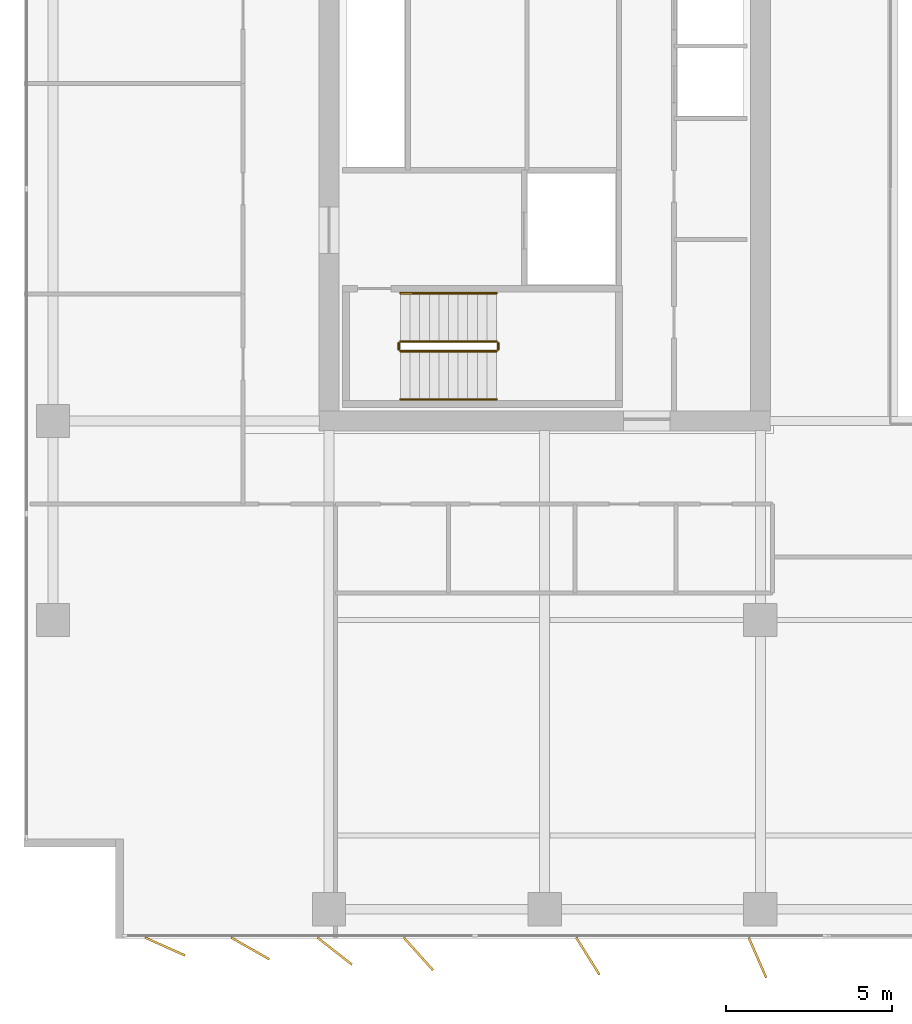
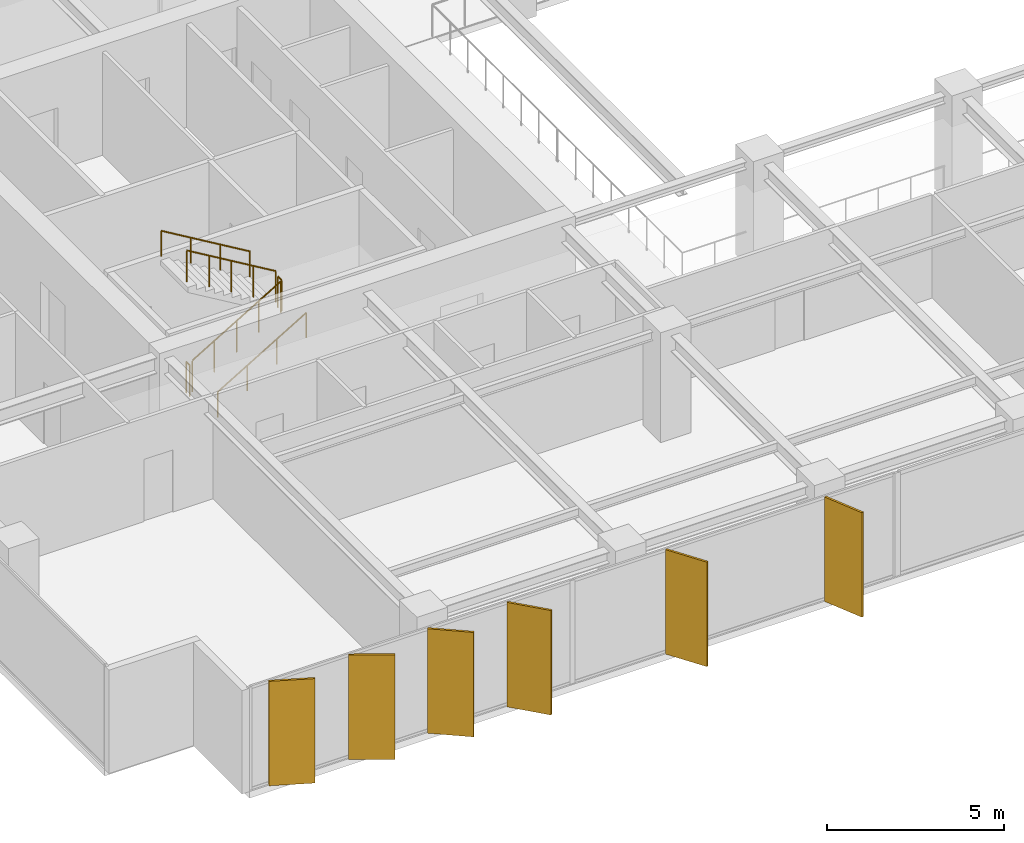
# One storey, part 19 of 22: 6 railings, 6 shading devices.
"""IFC4 building model written with IfcOpenShell, lengths in metres."""

import ifcopenshell
import ifcopenshell.guid

model = None  # the IFC model being written
_history = None  # IfcOwnerHistory: only IFC2X3 demands one
_inside = {}  # id of a spatial element -> (the spatial element, [elements in it])
_under = {}  # id of a project, library or spatial element -> (it, [spatial elements below it])
_declared = {}  # id of a project -> (the project, [libraries it declares])
_typed = {}  # id of a type object -> (the type object, [elements of that type])
_made_of = {}  # id of a material, layer set ... -> (it, [elements and type objects made of it])


def new_model(schema):
    """Start an empty IFC model of exactly this schema.

    Asked for "IFC4X3", IfcOpenShell would pick the latest addendum, in which some entities
    have other attributes; the version numbers below select the first issue.
    IFC2X3 requires an IfcOwnerHistory on every rooted entity: one is made here for all.
    """
    global model, _history
    if schema == "IFC4X3":
        model = ifcopenshell.file(schema_version=(4, 3, 0, 0))
    else:
        model = ifcopenshell.file(schema=schema)
    _inside.clear()
    _under.clear()
    _declared.clear()
    _typed.clear()
    _made_of.clear()
    _history = None
    if model.schema == "IFC2X3":
        org = make("IfcOrganization", Name="unknown")
        user = make(
            "IfcPersonAndOrganization",
            ThePerson=make("IfcPerson", FamilyName="unknown"),
            TheOrganization=org,
        )
        app = make(
            "IfcApplication",
            ApplicationDeveloper=org,
            Version="unknown",
            ApplicationFullName="unknown",
            ApplicationIdentifier="unknown",
        )
        _history = make(
            "IfcOwnerHistory",
            OwningUser=user,
            OwningApplication=app,
            ChangeAction="ADDED",
            CreationDate=0,
        )
    return model


def make(cls, **values):
    """One entity of the class cls with the attributes given. An attribute that is None is left unset."""
    return model.create_entity(
        cls, **{name: value for name, value in values.items() if value is not None}
    )


def rooted(cls, **values):
    """An entity with a GlobalId (a new one), such as an element, a storey or a relation."""
    return make(cls, GlobalId=ifcopenshell.guid.new(), OwnerHistory=_history, **values)


def si_unit(unit_type, name, prefix=None):
    """IfcSIUnit, for example si_unit("LENGTHUNIT", "METRE", prefix="MILLI")."""
    return make("IfcSIUnit", UnitType=unit_type, Prefix=prefix, Name=name)


def assignment(units):
    """IfcUnitAssignment: the units of a project."""
    return None if units is None else make("IfcUnitAssignment", Units=units)


def point(xyz):
    """IfcCartesianPoint."""
    return None if xyz is None else make("IfcCartesianPoint", Coordinates=xyz)


def direction(xyz):
    """IfcDirection."""
    return None if xyz is None else make("IfcDirection", DirectionRatios=xyz)


def frame(location, z_axis=None, x_axis=None):
    """IfcAxis2Placement3D, a coordinate frame: its origin and axes. An axis left out is left unset."""
    return make(
        "IfcAxis2Placement3D",
        Location=point(location),
        Axis=direction(z_axis),
        RefDirection=direction(x_axis),
    )


def frame_2d(location, x_axis=None):
    """IfcAxis2Placement2D, a coordinate frame in the plane: its origin and x axis."""
    return make(
        "IfcAxis2Placement2D", Location=point(location), RefDirection=direction(x_axis)
    )


def origin():
    """The frame at (0, 0, 0) with its axes left unset."""
    return frame((0.0, 0.0, 0.0))


def origin_2d():
    """The frame at (0, 0) in the plane with its x axis left unset."""
    return frame_2d((0.0, 0.0))


def place(relative_to, where):
    """IfcLocalPlacement: puts the frame where relative to a parent placement (None: the world)."""
    return make(
        "IfcLocalPlacement", PlacementRelTo=relative_to, RelativePlacement=where
    )


def context(
    kind, dimensions, precision=None, world=None, true_north=None, identifier=None
):
    """IfcGeometricRepresentationContext, for example the 3D "Model" context."""
    return make(
        "IfcGeometricRepresentationContext",
        ContextIdentifier=identifier,
        ContextType=kind,
        CoordinateSpaceDimension=dimensions,
        Precision=precision,
        WorldCoordinateSystem=world,
        TrueNorth=true_north,
    )


def subcontext(parent, identifier, kind, view, scale=None):
    """IfcGeometricRepresentationSubContext, for example "Body" below "Model"."""
    return make(
        "IfcGeometricRepresentationSubContext",
        ContextIdentifier=identifier,
        ContextType=kind,
        ParentContext=parent,
        TargetScale=scale,
        TargetView=view,
    )


def project(units=None, contexts=None):
    """IfcProject with its units and contexts."""
    return rooted(
        "IfcProject",
        Name="project",
        RepresentationContexts=contexts,
        UnitsInContext=assignment(units),
    )


def spatial(cls, under=None, at=None, **own):
    """A site, building, storey or space (cls), placed at a placement, below another one or the project."""
    s = rooted(cls, ObjectPlacement=at, **own)
    if under is not None:
        _under.setdefault(under.id(), (under, []))[1].append(s)
    return s


def profile(cls, at=None, kind="AREA", **sizes):
    """A parametric profile (cls). Its sizes go by their IFC names, for example OverallWidth=200.0."""
    return make(cls, ProfileType=kind, Position=at, **sizes)


def rectangle(**sizes):
    """IfcRectangleProfileDef."""
    return profile("IfcRectangleProfileDef", **sizes)


def circle(**sizes):
    """IfcCircleProfileDef."""
    return profile("IfcCircleProfileDef", **sizes)


def extrude(swept, where, along, depth):
    """IfcExtrudedAreaSolid: the profile swept, set in the frame where, extruded along a direction by depth."""
    return make(
        "IfcExtrudedAreaSolid",
        SweptArea=swept,
        Position=where,
        ExtrudedDirection=direction(along),
        Depth=depth,
    )


def shape(context_of_items, identifier, shape_type, items):
    """IfcShapeRepresentation: the items that make up one representation, for example the "Body"."""
    return make(
        "IfcShapeRepresentation",
        ContextOfItems=context_of_items,
        RepresentationIdentifier=identifier,
        RepresentationType=shape_type,
        Items=items,
    )


def material(Name=None, Category=None):
    """IfcMaterial."""
    return make("IfcMaterial", Name=Name, Category=Category)


def layer(
    of_material, thickness, ventilated=None, Name=None, Category=None, Priority=None
):
    """IfcMaterialLayer: one layer of a wall or slab, of a material (None: an air gap)."""
    return make(
        "IfcMaterialLayer",
        Material=of_material,
        LayerThickness=thickness,
        IsVentilated=ventilated,
        Name=Name,
        Category=Category,
        Priority=Priority,
    )


def layer_set(layers, Name=None):
    """IfcMaterialLayerSet."""
    return make("IfcMaterialLayerSet", MaterialLayers=layers, LayerSetName=Name)


def made_of(thing, what):
    """Note that an element or type object is made of a material, layer set ...; save() writes the relation."""
    if what is not None:
        _made_of.setdefault(what.id(), (what, []))[1].append(thing)
    return thing


def type_object(cls, material=None, **own):
    """A type object (cls), such as IfcWallType, which elements share."""
    return made_of(rooted(cls, **own), material)


def element(
    cls,
    number,
    at=None,
    inside=None,
    cuts=None,
    type_object=None,
    material=None,
    context=None,
    identifier="Body",
    shape_type=None,
    held_by="IfcProductDefinitionShape",
    body=None,
    shapes=None,
    **own,
):
    """One element of the class cls, such as IfcWall. Its Tag is "e" and its number.

    at: its placement. inside: the storey or other place that contains it. cuts: it is an
    opening in that element (IfcRelVoidsElement). A single representation is given by context,
    identifier, shape_type and body (its items); several are given by shapes. held_by: the class
    of the entity that holds the representations. save() writes the other relations.
    """
    e = rooted(cls, Tag="e%d" % number, ObjectPlacement=at, **own)
    if body is not None:
        shapes = [shape(context, identifier, shape_type, body)]
    if shapes is not None:
        e.Representation = make(held_by, Representations=shapes)
    if inside is not None:
        _inside.setdefault(inside.id(), (inside, []))[1].append(e)
    if cuts is not None:
        rooted(
            "IfcRelVoidsElement", RelatingBuildingElement=cuts, RelatedOpeningElement=e
        )
    if type_object is not None:
        _typed.setdefault(type_object.id(), (type_object, []))[1].append(e)
    return made_of(e, material)


def aggregate(whole, parts):
    """IfcRelAggregates: a whole, such as a stair, and the parts it consists of."""
    return rooted("IfcRelAggregates", RelatingObject=whole, RelatedObjects=parts)


def save(model, path):
    """Write the relations noted so far, then the file.

    IfcRelAggregates (storeys below a building ...), IfcRelContainedInSpatialStructure (elements
    in a storey), IfcRelDefinesByType, IfcRelAssociatesMaterial and IfcRelDeclares: one each for
    every whole, place, type object, material and project.
    """
    for whole, parts in _under.values():
        aggregate(whole, parts)
    for where, things in _inside.values():
        rooted(
            "IfcRelContainedInSpatialStructure",
            RelatedElements=things,
            RelatingStructure=where,
        )
    for kind, things in _typed.values():
        rooted("IfcRelDefinesByType", RelatedObjects=things, RelatingType=kind)
    for what, things in _made_of.values():
        rooted("IfcRelAssociatesMaterial", RelatedObjects=things, RelatingMaterial=what)
    for by, libraries in _declared.values():
        rooted("IfcRelDeclares", RelatingContext=by, RelatedDefinitions=libraries)
    model.write(path)


model = new_model("IFC4")

# Units and contexts
model_context = context("Model", 3, precision=1e-05, world=origin(), true_north=direction((0.0, 1.0)))
body_context = subcontext(model_context, "Body", "Model", "MODEL_VIEW")
ifc_project = project(units=[si_unit("LENGTHUNIT", "METRE"), si_unit("AREAUNIT", "SQUARE_METRE"), si_unit("VOLUMEUNIT", "CUBIC_METRE"), si_unit("PLANEANGLEUNIT", "RADIAN"), si_unit("MASSUNIT", "GRAM", prefix="KILO")], contexts=[model_context])

# Site, building, storey
site_placement = place(None, origin())
site = spatial("IfcSite", under=ifc_project, at=site_placement, CompositionType="ELEMENT")
building_placement = place(site_placement, origin())
building = spatial("IfcBuilding", under=site, at=building_placement, Name="Putna Gate Headquarters", CompositionType="ELEMENT")
storey_placement = place(building_placement, frame((0.0, 0.0, 155.60009765625)))
storey = spatial("IfcBuildingStorey", under=building, at=storey_placement, Name="L38", CompositionType="ELEMENT", Elevation=155.60009765625)

# Railings
ifc_material_1 = material(Name="Powder-coated steel stair guardrail", Category="steel")
railing_type_1 = type_object("IfcRailingType", Name="RAIL-STAIR-GUARD-1100", PredefinedType="GUARDRAIL", material=ifc_material_1)
railing_1_placement = place(storey_placement, frame((15.14990234375, 21.10009765625, 0.172607421875)))
element("IfcRailing", 1, at=railing_1_placement, inside=storey, type_object=railing_type_1, Name="L38 ST1 stair guard 1", PredefinedType="GUARDRAIL", context=body_context, shape_type="SweptSolid", body=[
    extrude(circle(Radius=0.02392578125, at=origin_2d()), frame((0.0, 0.0, 1.076171875), z_axis=(0.859160404282, 0.0, 0.51170636083), x_axis=(0.0, 1.0, 0.0)), (0.0, 0.0, 1.0), 3.37548828125),
    extrude(circle(Radius=0.02099609375, at=origin_2d()), origin(), (0.0, 0.0, 1.0), 1.052001953125),
    extrude(circle(Radius=0.02099609375, at=origin_2d()), frame((0.72509765625, 0.0, 0.431884765625)), (0.0, 0.0, 1.0), 1.052001953125),
    extrude(circle(Radius=0.02099609375, at=origin_2d()), frame((1.4501953125, 0.0, 0.86376953125)), (0.0, 0.0, 1.0), 1.052001953125),
    extrude(circle(Radius=0.02099609375, at=origin_2d()), frame((2.175048828125, 0.0, 1.29541015625)), (0.0, 0.0, 1.0), 1.052001953125),
    extrude(circle(Radius=0.02099609375, at=origin_2d()), frame((2.900146484375, 0.0, 1.727294921875)), (0.0, 0.0, 1.0), 1.052001953125),
])
railing_2_placement = place(storey_placement, frame((18.10009765625, 21.14990234375, 1.89990234375)))
element("IfcRailing", 2, at=railing_2_placement, inside=storey, type_object=railing_type_1, Name="L38 ST1 stair guard 2", PredefinedType="GUARDRAIL", context=body_context, shape_type="SweptSolid", body=[
    extrude(circle(Radius=0.02392578125, at=origin_2d()), frame((0.0, 0.0, 1.076171875), z_axis=(0.0, 1.0, 0.0), x_axis=(-1.0, 0.0, 0.0)), (0.0, 0.0, 1.0), 0.2001953125),
    extrude(circle(Radius=0.02099609375, at=origin_2d()), origin(), (0.0, 0.0, 1.0), 1.052001953125),
    extrude(circle(Radius=0.02099609375, at=origin_2d()), frame((0.0, 0.2001953125, 0.0)), (0.0, 0.0, 1.0), 1.052001953125),
])
railing_3_placement = place(storey_placement, frame((18.050048828125, 21.39990234375, 2.072509765625)))
element("IfcRailing", 3, at=railing_3_placement, inside=storey, type_object=railing_type_1, Name="L38 ST1 stair guard 3", PredefinedType="GUARDRAIL", context=body_context, shape_type="SweptSolid", body=[
    extrude(circle(Radius=0.02392578125, at=origin_2d()), frame((0.0, 0.0, 1.076171875), z_axis=(-0.859160404282, 0.0, 0.51170636083), x_axis=(0.0, -1.0, 0.0)), (0.0, 0.0, 1.0), 3.37548828125),
    extrude(circle(Radius=0.02099609375, at=origin_2d()), origin(), (0.0, 0.0, 1.0), 1.052001953125),
    extrude(circle(Radius=0.02099609375, at=origin_2d()), frame((-0.72509765625, 0.0, 0.431884765625)), (0.0, 0.0, 1.0), 1.052001953125),
    extrude(circle(Radius=0.02099609375, at=origin_2d()), frame((-1.4501953125, 0.0, 0.86376953125)), (0.0, 0.0, 1.0), 1.052001953125),
    extrude(circle(Radius=0.02099609375, at=origin_2d()), frame((-2.175048828125, 0.0, 1.29541015625)), (0.0, 0.0, 1.0), 1.052001953125),
    extrude(circle(Radius=0.02099609375, at=origin_2d()), frame((-2.900146484375, 0.0, 1.727294921875)), (0.0, 0.0, 1.0), 1.052001953125),
])
railing_4_placement = place(storey_placement, frame((15.10009765625, 21.14990234375, 0.0)))
element("IfcRailing", 4, at=railing_4_placement, inside=storey, type_object=railing_type_1, Name="L38 ST1 stair guard 4", PredefinedType="GUARDRAIL", context=body_context, shape_type="SweptSolid", body=[
    extrude(circle(Radius=0.02392578125, at=origin_2d()), frame((0.0, 0.0, 1.076171875), z_axis=(0.0, 1.0, 0.0), x_axis=(-1.0, 0.0, 0.0)), (0.0, 0.0, 1.0), 0.2001953125),
    extrude(circle(Radius=0.02099609375, at=origin_2d()), origin(), (0.0, 0.0, 1.0), 1.052001953125),
    extrude(circle(Radius=0.02099609375, at=origin_2d()), frame((0.0, 0.2001953125, 0.0)), (0.0, 0.0, 1.0), 1.052001953125),
])
ifc_material_2 = material(Name="Brushed stainless steel handrail", Category="steel")
railing_type_2 = type_object("IfcRailingType", Name="RAIL-STAIR-HAND-900", PredefinedType="HANDRAIL", material=ifc_material_2)
railing_5_placement = place(storey_placement, frame((15.14990234375, 19.64990234375, 0.172607421875)))
element("IfcRailing", 5, at=railing_5_placement, inside=storey, type_object=railing_type_2, Name="L38 ST1 stair handrail 1", PredefinedType="HANDRAIL", context=body_context, shape_type="SweptSolid", body=[
    extrude(circle(Radius=0.02392578125, at=origin_2d()), frame((0.0, 0.0, 0.8759765625), z_axis=(0.859160404282, 0.0, 0.51170636083), x_axis=(0.0, 1.0, 0.0)), (0.0, 0.0, 1.0), 3.37548828125),
    extrude(circle(Radius=0.02099609375, at=origin_2d()), origin(), (0.0, 0.0, 1.0), 0.851806640625),
    extrude(circle(Radius=0.02099609375, at=origin_2d()), frame((0.966796875, 0.0, 0.57568359375)), (0.0, 0.0, 1.0), 0.851806640625),
    extrude(circle(Radius=0.02099609375, at=origin_2d()), frame((1.933349609375, 0.0, 1.151611328125)), (0.0, 0.0, 1.0), 0.851806640625),
    extrude(circle(Radius=0.02099609375, at=origin_2d()), frame((2.900146484375, 0.0, 1.727294921875)), (0.0, 0.0, 1.0), 0.851806640625),
])
railing_6_placement = place(storey_placement, frame((18.050048828125, 22.85009765625, 2.072509765625)))
element("IfcRailing", 6, at=railing_6_placement, inside=storey, type_object=railing_type_2, Name="L38 ST1 stair handrail 2", PredefinedType="HANDRAIL", context=body_context, shape_type="SweptSolid", body=[
    extrude(circle(Radius=0.02392578125, at=origin_2d()), frame((0.0, 0.0, 0.8759765625), z_axis=(-0.859160404282, 0.0, 0.51170636083), x_axis=(0.0, -1.0, 0.0)), (0.0, 0.0, 1.0), 3.37548828125),
    extrude(circle(Radius=0.02099609375, at=origin_2d()), origin(), (0.0, 0.0, 1.0), 0.851806640625),
    extrude(circle(Radius=0.02099609375, at=origin_2d()), frame((-0.966796875, 0.0, 0.57568359375)), (0.0, 0.0, 1.0), 0.851806640625),
    extrude(circle(Radius=0.02099609375, at=origin_2d()), frame((-1.933349609375, 0.0, 1.151611328125)), (0.0, 0.0, 1.0), 0.851806640625),
    extrude(circle(Radius=0.02099609375, at=origin_2d()), frame((-2.900146484375, 0.0, 1.727294921875)), (0.0, 0.0, 1.0), 0.851806640625),
])

# Shading devices
ifc_material_3 = material(Name="Anodised architectural bronze aluminium fin", Category="aluminium")
ifc_layer = layer(ifc_material_3, 0.06494140625)
ifc_layer_set = layer_set([ifc_layer], Name="Anodised architectural bronze aluminium fin")
shading_device_type = type_object("IfcShadingDeviceType", Name="SHADE-BRONZE-FIN-1320", PredefinedType="USERDEFINED", material=ifc_layer_set)
for number, where, z_axis, x_axis, name in (
    (7, (8.052978515625, 3.15673828125, -0.02001953125), (0.0, 0.0, 1.0), (0.913687379856, -0.40641773078, 0.0), "L38 Bronze Vertical Shading Fin S1"),
    (8, (10.623779296875, 3.098876953125, -0.02001953125), (0.0, 0.0, 1.0), (0.869322458298, -0.494245347472, 0.0), "L38 Bronze Vertical Shading Fin S2"),
    (9, (13.169677734375, 3.018310546875, -0.02001953125), (0.0, 0.0, 1.0), (0.787473187632, -0.616348909921, 0.0), "L38 Bronze Vertical Shading Fin S3"),
    (10, (15.691650390625, 2.9345703125, -0.02001953125), (0.0, 0.0, 1.0), (0.669130606359, -0.743144825477, 0.0), "L38 Bronze Vertical Shading Fin S4"),
    (11, (20.80029296875, 2.865478515625, -0.02001953125), (0.0, 0.0, 1.0), (0.530659123936, -0.847585331506, 0.0), "L38 Bronze Vertical Shading Fin S5"),
    (12, (25.914306640625, 2.8203125, -0.02001953125), (0.0, 0.0, 1.0), (0.400668879095, -0.916222925562, 0.0), "L38 Bronze Vertical Shading Fin S6"),
):
    element("IfcShadingDevice", number, at=place(storey_placement, frame(where, z_axis=z_axis, x_axis=x_axis)), inside=storey, type_object=shading_device_type, Name=name, ObjectType="FIN", PredefinedType="USERDEFINED", context=body_context, shape_type="SweptSolid", body=[
        extrude(rectangle(XDim=1.320068359375, YDim=0.06494140625, at=origin_2d()), origin(), (0.0, 0.0, 1.0), 3.612060546875),
    ])

save(model, "model.ifc")
